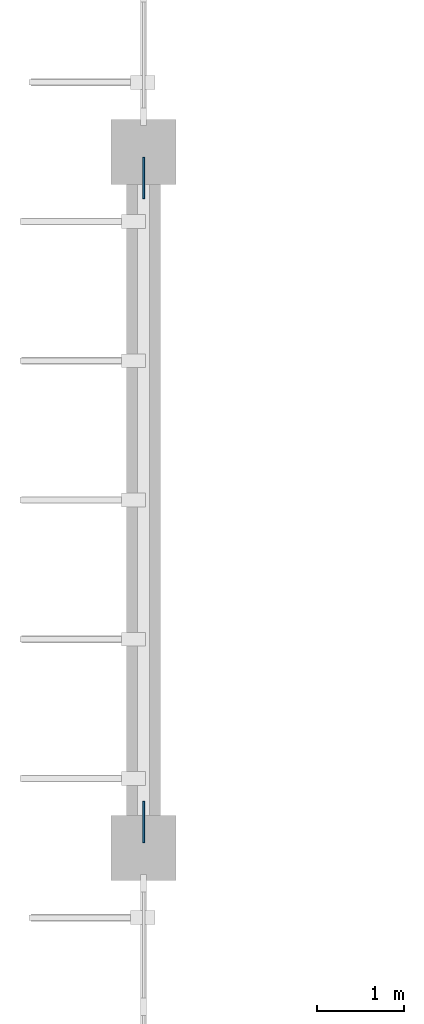
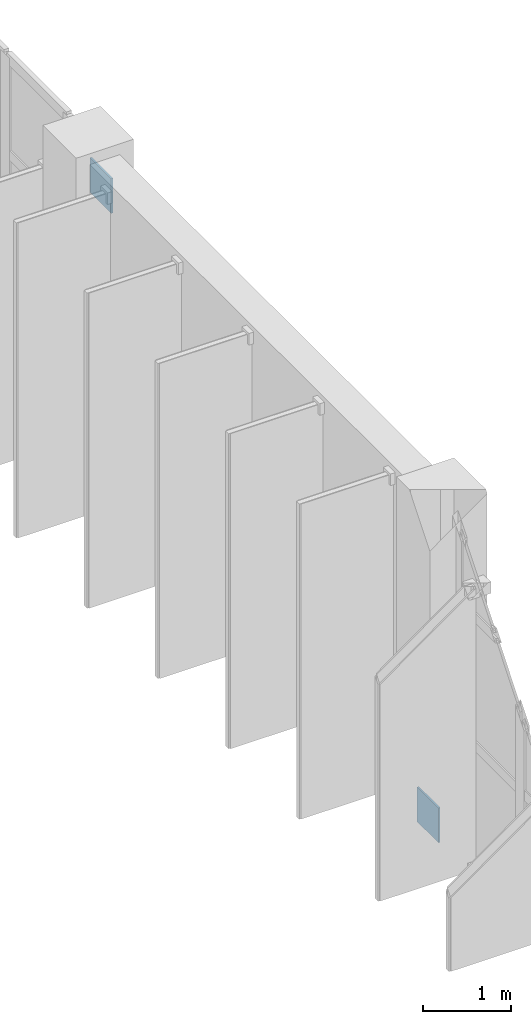
# One storey, part 63 of 93: 2 plates.
"""IFC4 building model written with IfcOpenShell, lengths in metres."""

from ifc_helpers import new_model, si_unit, direction, frame, origin, origin_2d, place, context, subcontext, project, spatial, rectangle, extrude, material, layer, layer_set, type_object, element, save


model = new_model("IFC4")

# Units and contexts
model_context = context("Model", 3, precision=1e-05, world=origin(), true_north=direction((0.0, 1.0)))
body_context = subcontext(model_context, "Body", "Model", "MODEL_VIEW")
ifc_project = project(units=[si_unit("LENGTHUNIT", "METRE"), si_unit("AREAUNIT", "SQUARE_METRE"), si_unit("VOLUMEUNIT", "CUBIC_METRE"), si_unit("PLANEANGLEUNIT", "RADIAN"), si_unit("MASSUNIT", "GRAM", prefix="KILO")], contexts=[model_context])

# Site, building, storey
site_placement = place(None, origin())
site = spatial("IfcSite", under=ifc_project, at=site_placement, CompositionType="ELEMENT")
building_placement = place(site_placement, origin())
building = spatial("IfcBuilding", under=site, at=building_placement, Name="Drelvana Railside Aquatics Centre", CompositionType="ELEMENT")
storey_placement = place(building_placement, frame((0.0, 0.0, 5.39990234375)))
storey = spatial("IfcBuildingStorey", under=building, at=storey_placement, Name="L01", CompositionType="ELEMENT", Elevation=5.39990234375)

# Plates
ifc_material = material(Name="Structural steel S355", Category="steel")
ifc_layer = layer(ifc_material, 0.02197265625, Name="Structural steel S355")
ifc_layer_set = layer_set([ifc_layer], Name="Structural steel S355")
plate_type = type_object("IfcPlateType", Name="STR-PLT-PL-04", PredefinedType="SHEET", material=ifc_layer_set)
for number, where, z_axis, x_axis, name in (
    (1, (0.0, 48.300048828125, -0.18994140625), (0.0, 0.0, 1.0), (1.0, 0.0, 0.0), "Brace gusset end plate PL-04 (L01)"),
    (2, (0.0, 55.699951171875, 4.010009765625), (0.0, 0.0, 1.0), (1.0, 0.0, 0.0), "Brace gusset end plate PL-04 (L01)"),
):
    element("IfcPlate", number, at=place(storey_placement, frame(where, z_axis=z_axis, x_axis=x_axis)), inside=storey, type_object=plate_type, Name=name, PredefinedType="SHEET", context=body_context, shape_type="SweptSolid", body=[
        extrude(rectangle(XDim=0.02197265625, YDim=0.47998046875, at=origin_2d()), origin(), (0.0, 0.0, 1.0), 0.47998046875),
    ])

save(model, "model.ifc")
